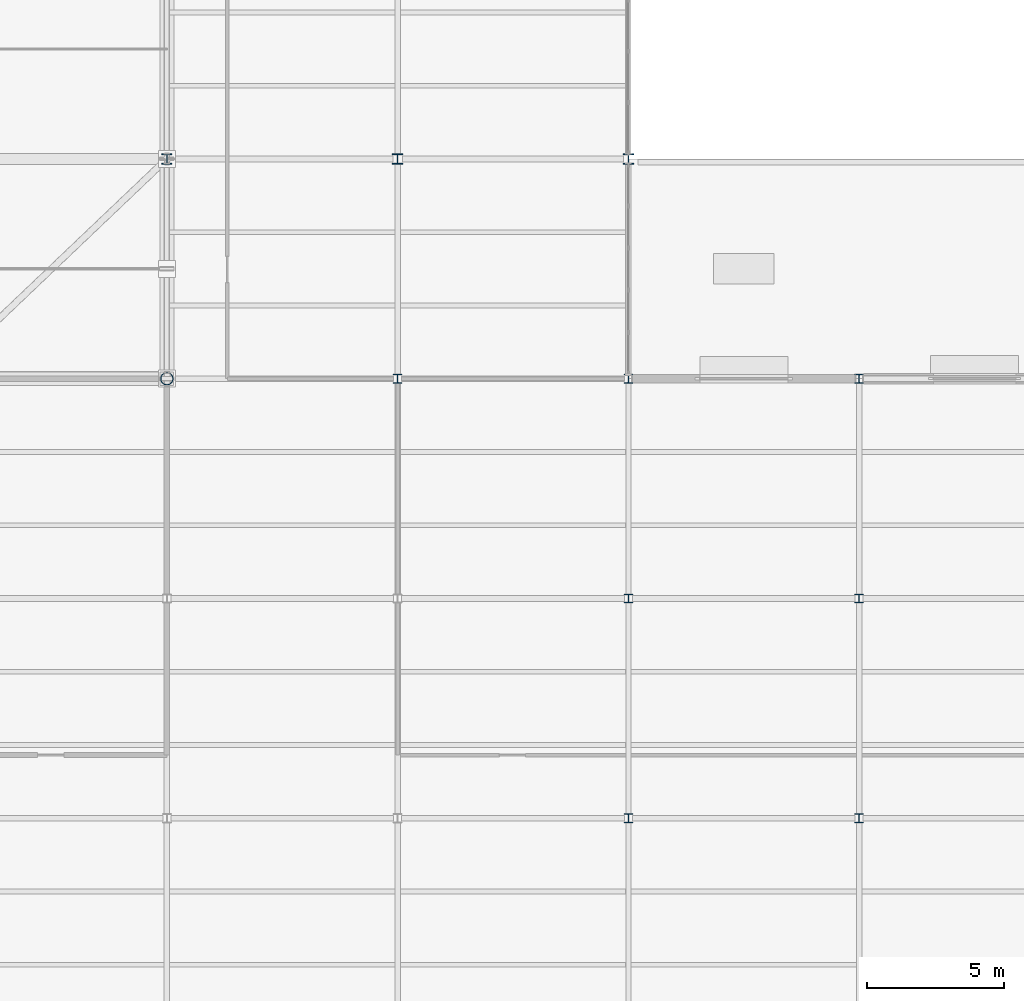
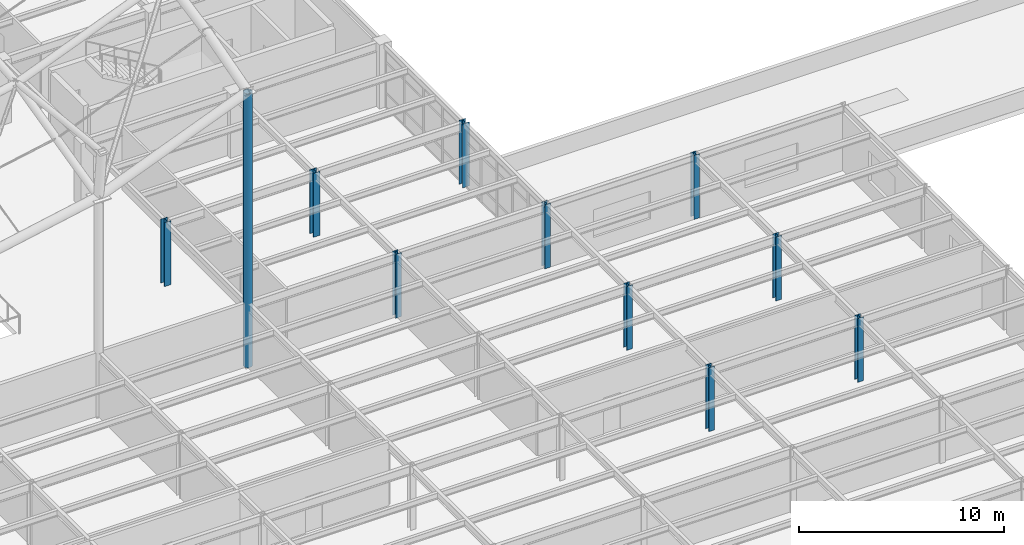
# One storey, part 9 of 138: 11 columns.
"""IFC4 building model written with IfcOpenShell, lengths in metres."""

from ifc_helpers import new_model, si_unit, direction, frame, origin, origin_2d, place, context, subcontext, project, spatial, hollow_circle, i_section, extrude, material, material_profile, profile_set, type_object, element, save


model = new_model("IFC4")

# Units and contexts
model_context = context("Model", 3, precision=1e-05, world=origin(), true_north=direction((0.0, 1.0)))
body_context = subcontext(model_context, "Body", "Model", "MODEL_VIEW")
ifc_project = project(units=[si_unit("LENGTHUNIT", "METRE"), si_unit("AREAUNIT", "SQUARE_METRE"), si_unit("VOLUMEUNIT", "CUBIC_METRE"), si_unit("PLANEANGLEUNIT", "RADIAN"), si_unit("MASSUNIT", "GRAM", prefix="KILO")], contexts=[model_context])

# Site, building, storey
site_placement = place(None, origin())
site = spatial("IfcSite", under=ifc_project, at=site_placement, CompositionType="ELEMENT")
building_placement = place(site_placement, origin())
building = spatial("IfcBuilding", under=site, at=building_placement, Name="Kranzveld Transit Interchange", CompositionType="ELEMENT")
storey_placement = place(building_placement, frame((0.0, 0.0, 5.43994140625)))
storey = spatial("IfcBuildingStorey", under=building, at=storey_placement, Name="L01", CompositionType="ELEMENT", Elevation=5.43994140625)

# Columns
ifc_material_1 = material(Name="Steel S355JR", Category="steel")
ifc_material_profile_1 = material_profile(ifc_material_1, i_section(OverallWidth=0.30908203125, OverallDepth=0.320556640625, WebThickness=0.013916015625, FlangeThickness=0.021728515625, FilletRadius=0.01513671875, at=origin_2d()), Name="UC 305x305x137")
ifc_profile_set_1 = profile_set([ifc_material_profile_1], Name="Steel S355JR")
column_type_1 = type_object("IfcColumnType", Name="Column Steel UC 305x305x137 S355JR", PredefinedType="COLUMN", material=ifc_profile_set_1)
for number, where, z_axis, x_axis, name in (
    (1, (109.199951171875, 56.0, 0.0), (0.0, 0.0, 1.0), (1.0, 0.0, 0.0), "L01 Column 14/H"),
    (2, (117.60009765625, 40.0, 0.0), (0.0, 0.0, 1.0), (1.0, 0.0, 0.0), "L01 Column 15/F"),
    (3, (117.60009765625, 48.0, 0.0), (0.0, 0.0, 1.0), (1.0, 0.0, 0.0), "L01 Column 15/G"),
    (4, (117.60009765625, 56.0, 0.0), (0.0, 0.0, 1.0), (1.0, 0.0, 0.0), "L01 Column 15/H"),
    (5, (126.0, 40.0, 0.0), (0.0, 0.0, 1.0), (1.0, 0.0, 0.0), "L01 Column 16/F"),
    (6, (126.0, 48.0, 0.0), (0.0, 0.0, 1.0), (1.0, 0.0, 0.0), "L01 Column 16/G"),
    (7, (126.0, 56.0, 0.0), (0.0, 0.0, 1.0), (1.0, 0.0, 0.0), "L01 Column 16/H"),
):
    element("IfcColumn", number, at=place(storey_placement, frame(where, z_axis=z_axis, x_axis=x_axis)), inside=storey, type_object=column_type_1, Name=name, PredefinedType="COLUMN", context=body_context, shape_type="SweptSolid", body=[
        extrude(i_section(OverallWidth=0.30908203125, OverallDepth=0.320556640625, WebThickness=0.013916015625, FlangeThickness=0.021728515625, FilletRadius=0.01513671875, at=origin_2d()), origin(), (0.0, 0.0, 1.0), 3.800048828125),
    ])
ifc_material_2 = material(Name="Steel S355JR", Category="steel")
ifc_material_profile_2 = material_profile(ifc_material_2, i_section(OverallWidth=0.374755859375, OverallDepth=0.37451171875, WebThickness=0.0166015625, FlangeThickness=0.027099609375, FilletRadius=0.01513671875, at=origin_2d()), Name="UC 356x368x202")
ifc_profile_set_2 = profile_set([ifc_material_profile_2], Name="Steel S355JR")
column_type_2 = type_object("IfcColumnType", Name="Column Steel UC 356x368x202 S355JR", PredefinedType="COLUMN", material=ifc_profile_set_2)
for number, where, z_axis, x_axis, name in (
    (8, (100.800048828125, 64.0, 0.0), (0.0, 0.0, 1.0), (1.0, 0.0, 0.0), "L01 Column 13/J"),
    (9, (109.199951171875, 64.0, 0.0), (0.0, 0.0, 1.0), (1.0, 0.0, 0.0), "L01 Column 14/J"),
    (10, (117.60009765625, 64.0, 0.0), (0.0, 0.0, 1.0), (1.0, 0.0, 0.0), "L01 Column 15/J"),
):
    element("IfcColumn", number, at=place(storey_placement, frame(where, z_axis=z_axis, x_axis=x_axis)), inside=storey, type_object=column_type_2, Name=name, PredefinedType="COLUMN", context=body_context, shape_type="SweptSolid", body=[
        extrude(i_section(OverallWidth=0.374755859375, OverallDepth=0.37451171875, WebThickness=0.0166015625, FlangeThickness=0.027099609375, FilletRadius=0.01513671875, at=origin_2d()), origin(), (0.0, 0.0, 1.0), 3.800048828125),
    ])
ifc_material_3 = material(Name="Steel S355JR", Category="steel")
ifc_material_profile_3 = material_profile(ifc_material_3, hollow_circle(Radius=0.228515625, WallThickness=0.01611328125, at=origin_2d()), Name="CHS 457x16")
ifc_profile_set_3 = profile_set([ifc_material_profile_3], Name="Steel S355JR")
column_type_3 = type_object("IfcColumnType", Name="Concourse Column CHS 457x16 S355JR", PredefinedType="COLUMN", material=ifc_profile_set_3)
column_placement = place(storey_placement, frame((100.800048828125, 56.0, 0.0), z_axis=(0.0, 0.0, 1.0), x_axis=(1.0, 0.0, 0.0)))
element("IfcColumn", 11, at=column_placement, inside=storey, type_object=column_type_3, Name="L01 Column 13/H", PredefinedType="COLUMN", context=body_context, shape_type="SweptSolid", body=[
    extrude(hollow_circle(Radius=0.228515625, WallThickness=0.01611328125, at=origin_2d()), origin(), (0.0, 0.0, 1.0), 16.31005859375),
])

save(model, "model.ifc")
